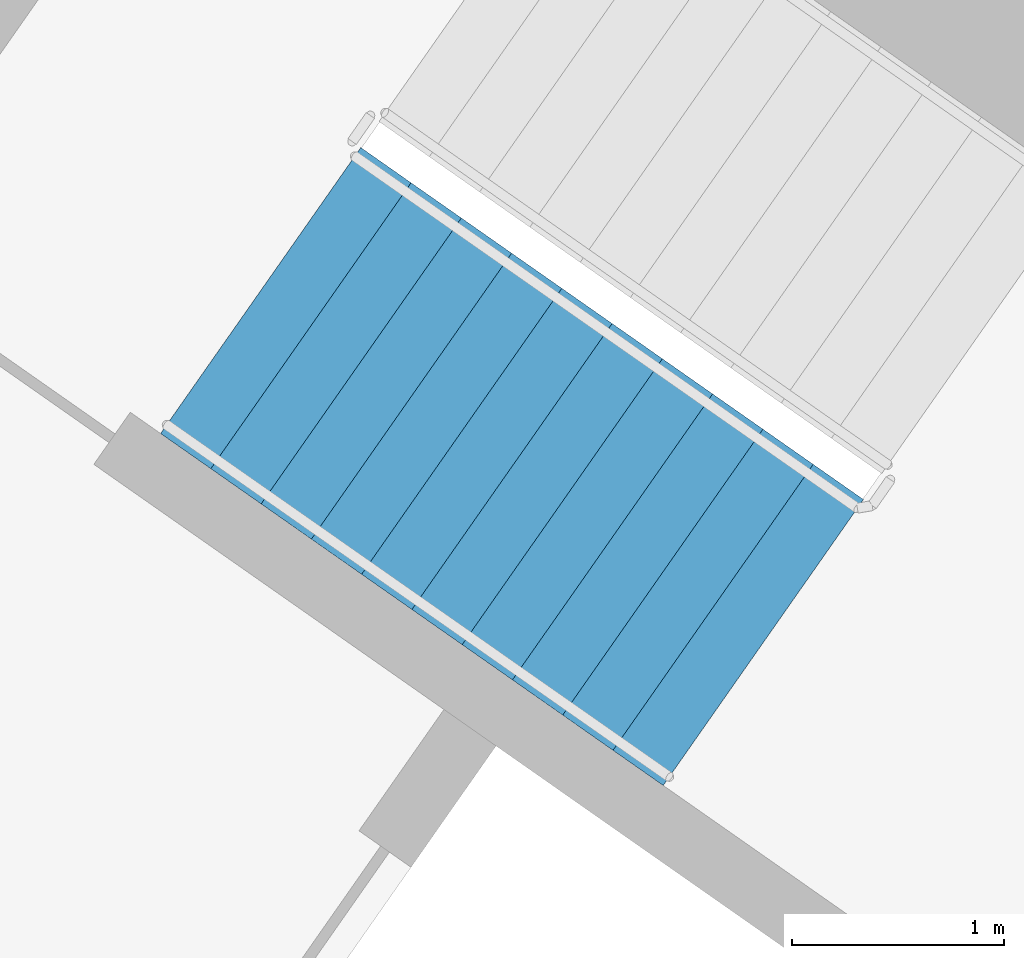
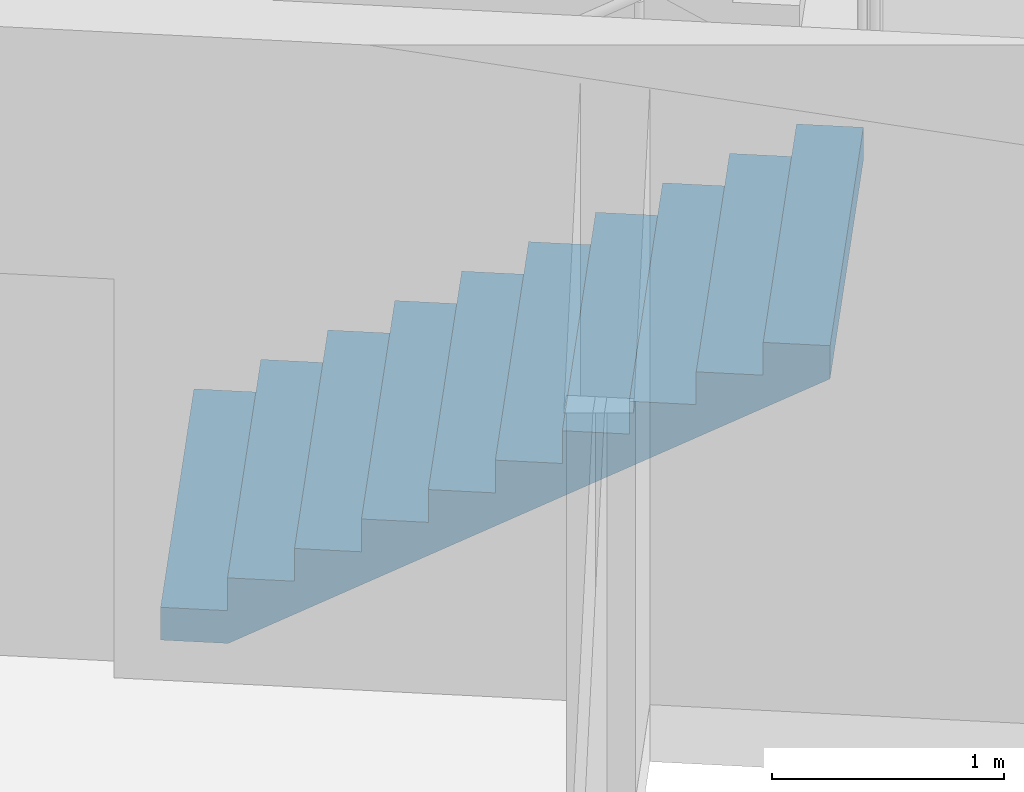
# One storey, part 11 of 28: 1 stair flight, 1 element without a shape of its own.
"""IFC4 building model written with IfcOpenShell, lengths in metres."""

from ifc_helpers import new_model, si_unit, direction, frame, origin, place, context, subcontext, project, spatial, faceted_brep, material, type_object, element, aggregate, save


model = new_model("IFC4")

# Units and contexts
model_context = context("Model", 3, precision=1e-05, world=origin(), true_north=direction((0.0, 1.0)))
body_context = subcontext(model_context, "Body", "Model", "MODEL_VIEW")
ifc_project = project(units=[si_unit("LENGTHUNIT", "METRE"), si_unit("AREAUNIT", "SQUARE_METRE"), si_unit("VOLUMEUNIT", "CUBIC_METRE"), si_unit("PLANEANGLEUNIT", "RADIAN"), si_unit("MASSUNIT", "GRAM", prefix="KILO")], contexts=[model_context])

# Site, building, storey
site_placement = place(None, origin())
site = spatial("IfcSite", under=ifc_project, at=site_placement, CompositionType="ELEMENT")
building_placement = place(site_placement, origin())
building = spatial("IfcBuilding", under=site, at=building_placement, Name="Qamariyya Broadcast Tower", CompositionType="ELEMENT")
storey_placement = place(building_placement, frame((0.0, 0.0, 140.5)))
storey = spatial("IfcBuildingStorey", under=building, at=storey_placement, Name="L32", CompositionType="ELEMENT", Elevation=140.5)

# Stair, stair flight
ifc_material = material(Name="Concrete C50/60", Category="concrete")
stair_type = type_object("IfcStairType", Name="Exit stair 22 risers of 173 mm", PredefinedType="HALF_TURN_STAIR", material=ifc_material)
stair_placement = place(storey_placement, origin())
stair = element("IfcStair", 1, at=stair_placement, inside=storey, type_object=stair_type, Name="L32 Stair W2", PredefinedType="HALF_TURN_STAIR")
stair_flight_type = type_object("IfcStairFlightType", Name="Exit stair flight 11 risers of 173 mm", PredefinedType="STRAIGHT", material=ifc_material)
stair_flight_placement = place(storey_placement, frame((-41.59130859375, -49.15966796875, 0.0), z_axis=(0.0, 0.0, 1.0), x_axis=(0.819152044289, -0.573576436351, 0.0)))
stair_flight = element("IfcStairFlight", 2, at=stair_flight_placement, type_object=stair_flight_type, Name="ST-W2 flight 1", NumberOfRisers=11, NumberOfTreads=10, PredefinedType="STRAIGHT", RiserHeight=0.172727273, TreadLength=0.29, context=body_context, shape_type="Brep", body=[
    faceted_brep([(0.0, 0.824951171875, 0.0), (0.0, 0.824951171875, 0.172607421875), (0.2900390625, 0.824951171875, 0.172607421875), (0.2900390625, 0.824951171875, 0.345458984375), (0.580078125, 0.824951171875, 0.345458984375), (0.580078125, 0.824951171875, 0.51806640625), (0.8701171875, 0.824951171875, 0.51806640625), (0.8701171875, 0.824951171875, 0.69091796875), (1.159912109375, 0.824951171875, 0.69091796875), (1.159912109375, 0.824951171875, 0.863525390625), (1.449951171875, 0.824951171875, 0.863525390625), (1.449951171875, 0.824951171875, 1.036376953125), (1.739990234375, 0.824951171875, 1.036376953125), (1.739990234375, 0.824951171875, 1.208984375), (2.030029296875, 0.824951171875, 1.208984375), (2.030029296875, 0.824951171875, 1.3818359375), (2.320068359375, 0.824951171875, 1.3818359375), (2.320068359375, 0.824951171875, 1.554443359375), (2.610107421875, 0.824951171875, 1.554443359375), (2.610107421875, 0.824951171875, 1.727294921875), (2.89990234375, 0.824951171875, 1.727294921875), (2.89990234375, 0.824951171875, 1.552734375), (0.29296875, 0.824951171875, 0.0), (0.29296875, -0.824951171875, 0.0), (2.89990234375, -0.824951171875, 1.552734375), (2.89990234375, -0.824951171875, 1.727294921875), (2.610107421875, -0.824951171875, 1.727294921875), (2.610107421875, -0.824951171875, 1.554443359375), (2.320068359375, -0.824951171875, 1.554443359375), (2.320068359375, -0.824951171875, 1.3818359375), (2.030029296875, -0.824951171875, 1.3818359375), (2.030029296875, -0.824951171875, 1.208984375), (1.739990234375, -0.824951171875, 1.208984375), (1.739990234375, -0.824951171875, 1.036376953125), (1.449951171875, -0.824951171875, 1.036376953125), (1.449951171875, -0.824951171875, 0.863525390625), (1.159912109375, -0.824951171875, 0.863525390625), (1.159912109375, -0.824951171875, 0.69091796875), (0.8701171875, -0.824951171875, 0.69091796875), (0.8701171875, -0.824951171875, 0.51806640625), (0.580078125, -0.824951171875, 0.51806640625), (0.580078125, -0.824951171875, 0.345458984375), (0.2900390625, -0.824951171875, 0.345458984375), (0.2900390625, -0.824951171875, 0.172607421875), (0.0, -0.824951171875, 0.172607421875), (0.0, -0.824951171875, 0.0), (0.0, 0.10009765625, 0.0), (0.0, 0.086669921875, 0.0), (0.0, 0.0732421875, 0.0), (0.0, 0.06005859375, 0.0), (0.0, 0.046630859375, 0.0), (0.0, 0.033447265625, 0.0), (0.0, 0.02001953125, 0.0), (0.0, 0.006591796875, 0.0), (0.0, -0.006591796875, 0.0), (0.0, -0.02001953125, 0.0), (0.0, -0.033447265625, 0.0), (0.0, -0.046630859375, 0.0), (0.0, -0.06005859375, 0.0), (0.0, -0.0732421875, 0.0), (0.0, -0.086669921875, 0.0), (0.0, -0.10009765625, 0.0), (0.0, -0.10009765625, 0.172607421875), (0.0, -0.086669921875, 0.172607421875), (0.0, -0.0732421875, 0.172607421875), (0.0, -0.06005859375, 0.172607421875), (0.0, -0.046630859375, 0.172607421875), (0.0, -0.033447265625, 0.172607421875), (0.0, -0.02001953125, 0.172607421875), (0.0, -0.006591796875, 0.172607421875), (0.0, 0.006591796875, 0.172607421875), (0.0, 0.02001953125, 0.172607421875), (0.0, 0.033447265625, 0.172607421875), (0.0, 0.046630859375, 0.172607421875), (0.0, 0.06005859375, 0.172607421875), (0.0, 0.0732421875, 0.172607421875), (0.0, 0.086669921875, 0.172607421875), (0.0, 0.10009765625, 0.172607421875), (0.2900390625, -0.10009765625, 0.172607421875), (0.2900390625, -0.086669921875, 0.172607421875), (0.2900390625, -0.0732421875, 0.172607421875), (0.2900390625, -0.06005859375, 0.172607421875), (0.2900390625, -0.046630859375, 0.172607421875), (0.2900390625, -0.033447265625, 0.172607421875), (0.2900390625, -0.02001953125, 0.172607421875), (0.2900390625, -0.006591796875, 0.172607421875), (0.2900390625, 0.006591796875, 0.172607421875), (0.2900390625, 0.02001953125, 0.172607421875), (0.2900390625, 0.033447265625, 0.172607421875), (0.2900390625, 0.046630859375, 0.172607421875), (0.2900390625, 0.06005859375, 0.172607421875), (0.2900390625, 0.0732421875, 0.172607421875), (0.2900390625, 0.086669921875, 0.172607421875), (0.2900390625, 0.10009765625, 0.172607421875), (0.2900390625, -0.10009765625, 0.345458984375), (0.2900390625, -0.086669921875, 0.345458984375), (0.2900390625, -0.0732421875, 0.345458984375), (0.2900390625, -0.06005859375, 0.345458984375), (0.2900390625, -0.046630859375, 0.345458984375), (0.2900390625, -0.033447265625, 0.345458984375), (0.2900390625, -0.02001953125, 0.345458984375), (0.2900390625, -0.006591796875, 0.345458984375), (0.2900390625, 0.006591796875, 0.345458984375), (0.2900390625, 0.02001953125, 0.345458984375), (0.2900390625, 0.033447265625, 0.345458984375), (0.2900390625, 0.046630859375, 0.345458984375), (0.2900390625, 0.06005859375, 0.345458984375), (0.2900390625, 0.0732421875, 0.345458984375), (0.2900390625, 0.086669921875, 0.345458984375), (0.2900390625, 0.10009765625, 0.345458984375), (0.580078125, -0.10009765625, 0.345458984375), (0.580078125, -0.086669921875, 0.345458984375), (0.580078125, -0.0732421875, 0.345458984375), (0.580078125, -0.06005859375, 0.345458984375), (0.580078125, -0.046630859375, 0.345458984375), (0.580078125, -0.033447265625, 0.345458984375), (0.580078125, -0.02001953125, 0.345458984375), (0.580078125, -0.006591796875, 0.345458984375), (0.580078125, 0.006591796875, 0.345458984375), (0.580078125, 0.02001953125, 0.345458984375), (0.580078125, 0.033447265625, 0.345458984375), (0.580078125, 0.046630859375, 0.345458984375), (0.580078125, 0.06005859375, 0.345458984375), (0.580078125, 0.0732421875, 0.345458984375), (0.580078125, 0.086669921875, 0.345458984375), (0.580078125, 0.10009765625, 0.345458984375), (0.580078125, -0.10009765625, 0.51806640625), (0.580078125, -0.086669921875, 0.51806640625), (0.580078125, -0.0732421875, 0.51806640625), (0.580078125, -0.06005859375, 0.51806640625), (0.580078125, -0.046630859375, 0.51806640625), (0.580078125, -0.033447265625, 0.51806640625), (0.580078125, -0.02001953125, 0.51806640625), (0.580078125, -0.006591796875, 0.51806640625), (0.580078125, 0.006591796875, 0.51806640625), (0.580078125, 0.02001953125, 0.51806640625), (0.580078125, 0.033447265625, 0.51806640625), (0.580078125, 0.046630859375, 0.51806640625), (0.580078125, 0.06005859375, 0.51806640625), (0.580078125, 0.0732421875, 0.51806640625), (0.580078125, 0.086669921875, 0.51806640625), (0.580078125, 0.10009765625, 0.51806640625), (0.8701171875, -0.10009765625, 0.51806640625), (0.8701171875, -0.086669921875, 0.51806640625), (0.8701171875, -0.0732421875, 0.51806640625), (0.8701171875, -0.06005859375, 0.51806640625), (0.8701171875, -0.046630859375, 0.51806640625), (0.8701171875, -0.033447265625, 0.51806640625), (0.8701171875, -0.02001953125, 0.51806640625), (0.8701171875, -0.006591796875, 0.51806640625), (0.8701171875, 0.006591796875, 0.51806640625), (0.8701171875, 0.02001953125, 0.51806640625), (0.8701171875, 0.033447265625, 0.51806640625), (0.8701171875, 0.046630859375, 0.51806640625), (0.8701171875, 0.06005859375, 0.51806640625), (0.8701171875, 0.0732421875, 0.51806640625), (0.8701171875, 0.086669921875, 0.51806640625), (0.8701171875, 0.10009765625, 0.51806640625), (0.8701171875, -0.10009765625, 0.69091796875), (0.8701171875, -0.086669921875, 0.69091796875), (0.8701171875, -0.0732421875, 0.69091796875), (0.8701171875, -0.06005859375, 0.69091796875), (0.8701171875, -0.046630859375, 0.69091796875), (0.8701171875, -0.033447265625, 0.69091796875), (0.8701171875, -0.02001953125, 0.69091796875), (0.8701171875, -0.006591796875, 0.69091796875), (0.8701171875, 0.006591796875, 0.69091796875), (0.8701171875, 0.02001953125, 0.69091796875), (0.8701171875, 0.033447265625, 0.69091796875), (0.8701171875, 0.046630859375, 0.69091796875), (0.8701171875, 0.06005859375, 0.69091796875), (0.8701171875, 0.0732421875, 0.69091796875), (0.8701171875, 0.086669921875, 0.69091796875), (0.8701171875, 0.10009765625, 0.69091796875), (1.159912109375, -0.10009765625, 0.69091796875), (1.159912109375, -0.086669921875, 0.69091796875), (1.159912109375, -0.0732421875, 0.69091796875), (1.159912109375, -0.06005859375, 0.69091796875), (1.159912109375, -0.046630859375, 0.69091796875), (1.159912109375, -0.033447265625, 0.69091796875), (1.159912109375, -0.02001953125, 0.69091796875), (1.159912109375, -0.006591796875, 0.69091796875), (1.159912109375, 0.006591796875, 0.69091796875), (1.159912109375, 0.02001953125, 0.69091796875), (1.159912109375, 0.033447265625, 0.69091796875), (1.159912109375, 0.046630859375, 0.69091796875), (1.159912109375, 0.06005859375, 0.69091796875), (1.159912109375, 0.0732421875, 0.69091796875), (1.159912109375, 0.086669921875, 0.69091796875), (1.159912109375, 0.10009765625, 0.69091796875), (1.159912109375, -0.10009765625, 0.863525390625), (1.159912109375, -0.086669921875, 0.863525390625), (1.159912109375, -0.0732421875, 0.863525390625), (1.159912109375, -0.06005859375, 0.863525390625), (1.159912109375, -0.046630859375, 0.863525390625), (1.159912109375, -0.033447265625, 0.863525390625), (1.159912109375, -0.02001953125, 0.863525390625), (1.159912109375, -0.006591796875, 0.863525390625), (1.159912109375, 0.006591796875, 0.863525390625), (1.159912109375, 0.02001953125, 0.863525390625), (1.159912109375, 0.033447265625, 0.863525390625), (1.159912109375, 0.046630859375, 0.863525390625), (1.159912109375, 0.06005859375, 0.863525390625), (1.159912109375, 0.0732421875, 0.863525390625), (1.159912109375, 0.086669921875, 0.863525390625), (1.159912109375, 0.10009765625, 0.863525390625), (1.449951171875, -0.10009765625, 0.863525390625), (1.449951171875, -0.086669921875, 0.863525390625), (1.449951171875, -0.0732421875, 0.863525390625), (1.449951171875, -0.06005859375, 0.863525390625), (1.449951171875, -0.046630859375, 0.863525390625), (1.449951171875, -0.033447265625, 0.863525390625), (1.449951171875, -0.02001953125, 0.863525390625), (1.449951171875, -0.006591796875, 0.863525390625), (1.449951171875, 0.006591796875, 0.863525390625), (1.449951171875, 0.02001953125, 0.863525390625), (1.449951171875, 0.033447265625, 0.863525390625), (1.449951171875, 0.046630859375, 0.863525390625), (1.449951171875, 0.06005859375, 0.863525390625), (1.449951171875, 0.0732421875, 0.863525390625), (1.449951171875, 0.086669921875, 0.863525390625), (1.449951171875, 0.10009765625, 0.863525390625), (1.449951171875, -0.10009765625, 1.036376953125), (1.449951171875, -0.086669921875, 1.036376953125), (1.449951171875, -0.0732421875, 1.036376953125), (1.449951171875, -0.06005859375, 1.036376953125), (1.449951171875, -0.046630859375, 1.036376953125), (1.449951171875, -0.033447265625, 1.036376953125), (1.449951171875, -0.02001953125, 1.036376953125), (1.449951171875, -0.006591796875, 1.036376953125), (1.449951171875, 0.006591796875, 1.036376953125), (1.449951171875, 0.02001953125, 1.036376953125), (1.449951171875, 0.033447265625, 1.036376953125), (1.449951171875, 0.046630859375, 1.036376953125), (1.449951171875, 0.06005859375, 1.036376953125), (1.449951171875, 0.0732421875, 1.036376953125), (1.449951171875, 0.086669921875, 1.036376953125), (1.449951171875, 0.10009765625, 1.036376953125), (1.739990234375, -0.10009765625, 1.036376953125), (1.739990234375, -0.086669921875, 1.036376953125), (1.739990234375, -0.0732421875, 1.036376953125), (1.739990234375, -0.06005859375, 1.036376953125), (1.739990234375, -0.046630859375, 1.036376953125), (1.739990234375, -0.033447265625, 1.036376953125), (1.739990234375, -0.02001953125, 1.036376953125), (1.739990234375, -0.006591796875, 1.036376953125), (1.739990234375, 0.006591796875, 1.036376953125), (1.739990234375, 0.02001953125, 1.036376953125), (1.739990234375, 0.033447265625, 1.036376953125), (1.739990234375, 0.046630859375, 1.036376953125), (1.739990234375, 0.06005859375, 1.036376953125), (1.739990234375, 0.0732421875, 1.036376953125), (1.739990234375, 0.086669921875, 1.036376953125), (1.739990234375, 0.10009765625, 1.036376953125), (1.739990234375, -0.10009765625, 1.208984375), (1.739990234375, -0.086669921875, 1.208984375), (1.739990234375, -0.0732421875, 1.208984375), (1.739990234375, -0.06005859375, 1.208984375), (1.739990234375, -0.046630859375, 1.208984375), (1.739990234375, -0.033447265625, 1.208984375), (1.739990234375, -0.02001953125, 1.208984375), (1.739990234375, -0.006591796875, 1.208984375), (1.739990234375, 0.006591796875, 1.208984375), (1.739990234375, 0.02001953125, 1.208984375), (1.739990234375, 0.033447265625, 1.208984375), (1.739990234375, 0.046630859375, 1.208984375), (1.739990234375, 0.06005859375, 1.208984375), (1.739990234375, 0.0732421875, 1.208984375), (1.739990234375, 0.086669921875, 1.208984375), (1.739990234375, 0.10009765625, 1.208984375), (2.030029296875, -0.10009765625, 1.208984375), (2.030029296875, -0.086669921875, 1.208984375), (2.030029296875, -0.0732421875, 1.208984375), (2.030029296875, -0.06005859375, 1.208984375), (2.030029296875, -0.046630859375, 1.208984375), (2.030029296875, -0.033447265625, 1.208984375), (2.030029296875, -0.02001953125, 1.208984375), (2.030029296875, -0.006591796875, 1.208984375), (2.030029296875, 0.006591796875, 1.208984375), (2.030029296875, 0.02001953125, 1.208984375), (2.030029296875, 0.033447265625, 1.208984375), (2.030029296875, 0.046630859375, 1.208984375), (2.030029296875, 0.06005859375, 1.208984375), (2.030029296875, 0.0732421875, 1.208984375), (2.030029296875, 0.086669921875, 1.208984375), (2.030029296875, 0.10009765625, 1.208984375), (2.030029296875, -0.10009765625, 1.3818359375), (2.030029296875, -0.086669921875, 1.3818359375), (2.030029296875, -0.0732421875, 1.3818359375), (2.030029296875, -0.06005859375, 1.3818359375), (2.030029296875, -0.046630859375, 1.3818359375), (2.030029296875, -0.033447265625, 1.3818359375), (2.030029296875, -0.02001953125, 1.3818359375), (2.030029296875, -0.006591796875, 1.3818359375), (2.030029296875, 0.006591796875, 1.3818359375), (2.030029296875, 0.02001953125, 1.3818359375), (2.030029296875, 0.033447265625, 1.3818359375), (2.030029296875, 0.046630859375, 1.3818359375), (2.030029296875, 0.06005859375, 1.3818359375), (2.030029296875, 0.0732421875, 1.3818359375), (2.030029296875, 0.086669921875, 1.3818359375), (2.030029296875, 0.10009765625, 1.3818359375), (2.320068359375, -0.10009765625, 1.3818359375), (2.320068359375, -0.086669921875, 1.3818359375), (2.320068359375, -0.0732421875, 1.3818359375), (2.320068359375, -0.06005859375, 1.3818359375), (2.320068359375, -0.046630859375, 1.3818359375), (2.320068359375, -0.033447265625, 1.3818359375), (2.320068359375, -0.02001953125, 1.3818359375), (2.320068359375, -0.006591796875, 1.3818359375), (2.320068359375, 0.006591796875, 1.3818359375), (2.320068359375, 0.02001953125, 1.3818359375), (2.320068359375, 0.033447265625, 1.3818359375), (2.320068359375, 0.046630859375, 1.3818359375), (2.320068359375, 0.06005859375, 1.3818359375), (2.320068359375, 0.0732421875, 1.3818359375), (2.320068359375, 0.086669921875, 1.3818359375), (2.320068359375, 0.10009765625, 1.3818359375), (2.320068359375, -0.10009765625, 1.554443359375), (2.320068359375, -0.086669921875, 1.554443359375), (2.320068359375, -0.0732421875, 1.554443359375), (2.320068359375, -0.06005859375, 1.554443359375), (2.320068359375, -0.046630859375, 1.554443359375), (2.320068359375, -0.033447265625, 1.554443359375), (2.320068359375, -0.02001953125, 1.554443359375), (2.320068359375, -0.006591796875, 1.554443359375), (2.320068359375, 0.006591796875, 1.554443359375), (2.320068359375, 0.02001953125, 1.554443359375), (2.320068359375, 0.033447265625, 1.554443359375), (2.320068359375, 0.046630859375, 1.554443359375), (2.320068359375, 0.06005859375, 1.554443359375), (2.320068359375, 0.0732421875, 1.554443359375), (2.320068359375, 0.086669921875, 1.554443359375), (2.320068359375, 0.10009765625, 1.554443359375), (2.610107421875, -0.10009765625, 1.554443359375), (2.610107421875, -0.086669921875, 1.554443359375), (2.610107421875, -0.0732421875, 1.554443359375), (2.610107421875, -0.06005859375, 1.554443359375), (2.610107421875, -0.046630859375, 1.554443359375), (2.610107421875, -0.033447265625, 1.554443359375), (2.610107421875, -0.02001953125, 1.554443359375), (2.610107421875, -0.006591796875, 1.554443359375), (2.610107421875, 0.006591796875, 1.554443359375), (2.610107421875, 0.02001953125, 1.554443359375), (2.610107421875, 0.033447265625, 1.554443359375), (2.610107421875, 0.046630859375, 1.554443359375), (2.610107421875, 0.06005859375, 1.554443359375), (2.610107421875, 0.0732421875, 1.554443359375), (2.610107421875, 0.086669921875, 1.554443359375), (2.610107421875, 0.10009765625, 1.554443359375), (2.610107421875, -0.10009765625, 1.727294921875), (2.610107421875, -0.086669921875, 1.727294921875), (2.610107421875, -0.0732421875, 1.727294921875), (2.610107421875, -0.06005859375, 1.727294921875), (2.610107421875, -0.046630859375, 1.727294921875), (2.610107421875, -0.033447265625, 1.727294921875), (2.610107421875, -0.02001953125, 1.727294921875), (2.610107421875, -0.006591796875, 1.727294921875), (2.610107421875, 0.006591796875, 1.727294921875), (2.610107421875, 0.02001953125, 1.727294921875), (2.610107421875, 0.033447265625, 1.727294921875), (2.610107421875, 0.046630859375, 1.727294921875), (2.610107421875, 0.06005859375, 1.727294921875), (2.610107421875, 0.0732421875, 1.727294921875), (2.610107421875, 0.086669921875, 1.727294921875), (2.610107421875, 0.10009765625, 1.727294921875), (2.89990234375, -0.10009765625, 1.727294921875), (2.89990234375, -0.086669921875, 1.727294921875), (2.89990234375, -0.0732421875, 1.727294921875), (2.89990234375, -0.06005859375, 1.727294921875), (2.89990234375, -0.046630859375, 1.727294921875), (2.89990234375, -0.033447265625, 1.727294921875), (2.89990234375, -0.02001953125, 1.727294921875), (2.89990234375, -0.006591796875, 1.727294921875), (2.89990234375, 0.006591796875, 1.727294921875), (2.89990234375, 0.02001953125, 1.727294921875), (2.89990234375, 0.033447265625, 1.727294921875), (2.89990234375, 0.046630859375, 1.727294921875), (2.89990234375, 0.06005859375, 1.727294921875), (2.89990234375, 0.0732421875, 1.727294921875), (2.89990234375, 0.086669921875, 1.727294921875), (2.89990234375, 0.10009765625, 1.727294921875), (2.89990234375, -0.10009765625, 1.552734375), (2.89990234375, -0.086669921875, 1.552734375), (2.89990234375, -0.0732421875, 1.552734375), (2.89990234375, -0.06005859375, 1.552734375), (2.89990234375, -0.046630859375, 1.552734375), (2.89990234375, -0.033447265625, 1.552734375), (2.89990234375, -0.02001953125, 1.552734375), (2.89990234375, -0.006591796875, 1.552734375), (2.89990234375, 0.006591796875, 1.552734375), (2.89990234375, 0.02001953125, 1.552734375), (2.89990234375, 0.033447265625, 1.552734375), (2.89990234375, 0.046630859375, 1.552734375), (2.89990234375, 0.06005859375, 1.552734375), (2.89990234375, 0.0732421875, 1.552734375), (2.89990234375, 0.086669921875, 1.552734375), (2.89990234375, 0.10009765625, 1.552734375), (0.29296875, -0.10009765625, 0.0), (0.29296875, -0.086669921875, 0.0), (0.29296875, -0.0732421875, 0.0), (0.29296875, -0.06005859375, 0.0), (0.29296875, -0.046630859375, 0.0), (0.29296875, -0.033447265625, 0.0), (0.29296875, -0.02001953125, 0.0), (0.29296875, -0.006591796875, 0.0), (0.29296875, 0.006591796875, 0.0), (0.29296875, 0.02001953125, 0.0), (0.29296875, 0.033447265625, 0.0), (0.29296875, 0.046630859375, 0.0), (0.29296875, 0.06005859375, 0.0), (0.29296875, 0.0732421875, 0.0), (0.29296875, 0.086669921875, 0.0), (0.29296875, 0.10009765625, 0.0)], [[[0, 1, 2, 3, 4, 5, 6, 7, 8, 9, 10, 11, 12, 13, 14, 15, 16, 17, 18, 19, 20, 21, 22]], [[23, 24, 25, 26, 27, 28, 29, 30, 31, 32, 33, 34, 35, 36, 37, 38, 39, 40, 41, 42, 43, 44, 45]], [[0, 46, 47, 48, 49, 50, 51, 52, 53, 54, 55, 56, 57, 58, 59, 60, 61, 45, 44, 62, 63, 64, 65, 66, 67, 68, 69, 70, 71, 72, 73, 74, 75, 76, 77, 1]], [[1, 77, 76, 75, 74, 73, 72, 71, 70, 69, 68, 67, 66, 65, 64, 63, 62, 44, 43, 78, 79, 80, 81, 82, 83, 84, 85, 86, 87, 88, 89, 90, 91, 92, 93, 2]], [[2, 93, 92, 91, 90, 89, 88, 87, 86, 85, 84, 83, 82, 81, 80, 79, 78, 43, 42, 94, 95, 96, 97, 98, 99, 100, 101, 102, 103, 104, 105, 106, 107, 108, 109, 3]], [[3, 109, 108, 107, 106, 105, 104, 103, 102, 101, 100, 99, 98, 97, 96, 95, 94, 42, 41, 110, 111, 112, 113, 114, 115, 116, 117, 118, 119, 120, 121, 122, 123, 124, 125, 4]], [[4, 125, 124, 123, 122, 121, 120, 119, 118, 117, 116, 115, 114, 113, 112, 111, 110, 41, 40, 126, 127, 128, 129, 130, 131, 132, 133, 134, 135, 136, 137, 138, 139, 140, 141, 5]], [[5, 141, 140, 139, 138, 137, 136, 135, 134, 133, 132, 131, 130, 129, 128, 127, 126, 40, 39, 142, 143, 144, 145, 146, 147, 148, 149, 150, 151, 152, 153, 154, 155, 156, 157, 6]], [[6, 157, 156, 155, 154, 153, 152, 151, 150, 149, 148, 147, 146, 145, 144, 143, 142, 39, 38, 158, 159, 160, 161, 162, 163, 164, 165, 166, 167, 168, 169, 170, 171, 172, 173, 7]], [[7, 173, 172, 171, 170, 169, 168, 167, 166, 165, 164, 163, 162, 161, 160, 159, 158, 38, 37, 174, 175, 176, 177, 178, 179, 180, 181, 182, 183, 184, 185, 186, 187, 188, 189, 8]], [[8, 189, 188, 187, 186, 185, 184, 183, 182, 181, 180, 179, 178, 177, 176, 175, 174, 37, 36, 190, 191, 192, 193, 194, 195, 196, 197, 198, 199, 200, 201, 202, 203, 204, 205, 9]], [[9, 205, 204, 203, 202, 201, 200, 199, 198, 197, 196, 195, 194, 193, 192, 191, 190, 36, 35, 206, 207, 208, 209, 210, 211, 212, 213, 214, 215, 216, 217, 218, 219, 220, 221, 10]], [[10, 221, 220, 219, 218, 217, 216, 215, 214, 213, 212, 211, 210, 209, 208, 207, 206, 35, 34, 222, 223, 224, 225, 226, 227, 228, 229, 230, 231, 232, 233, 234, 235, 236, 237, 11]], [[11, 237, 236, 235, 234, 233, 232, 231, 230, 229, 228, 227, 226, 225, 224, 223, 222, 34, 33, 238, 239, 240, 241, 242, 243, 244, 245, 246, 247, 248, 249, 250, 251, 252, 253, 12]], [[12, 253, 252, 251, 250, 249, 248, 247, 246, 245, 244, 243, 242, 241, 240, 239, 238, 33, 32, 254, 255, 256, 257, 258, 259, 260, 261, 262, 263, 264, 265, 266, 267, 268, 269, 13]], [[13, 269, 268, 267, 266, 265, 264, 263, 262, 261, 260, 259, 258, 257, 256, 255, 254, 32, 31, 270, 271, 272, 273, 274, 275, 276, 277, 278, 279, 280, 281, 282, 283, 284, 285, 14]], [[14, 285, 284, 283, 282, 281, 280, 279, 278, 277, 276, 275, 274, 273, 272, 271, 270, 31, 30, 286, 287, 288, 289, 290, 291, 292, 293, 294, 295, 296, 297, 298, 299, 300, 301, 15]], [[15, 301, 300, 299, 298, 297, 296, 295, 294, 293, 292, 291, 290, 289, 288, 287, 286, 30, 29, 302, 303, 304, 305, 306, 307, 308, 309, 310, 311, 312, 313, 314, 315, 316, 317, 16]], [[16, 317, 316, 315, 314, 313, 312, 311, 310, 309, 308, 307, 306, 305, 304, 303, 302, 29, 28, 318, 319, 320, 321, 322, 323, 324, 325, 326, 327, 328, 329, 330, 331, 332, 333, 17]], [[17, 333, 332, 331, 330, 329, 328, 327, 326, 325, 324, 323, 322, 321, 320, 319, 318, 28, 27, 334, 335, 336, 337, 338, 339, 340, 341, 342, 343, 344, 345, 346, 347, 348, 349, 18]], [[18, 349, 348, 347, 346, 345, 344, 343, 342, 341, 340, 339, 338, 337, 336, 335, 334, 27, 26, 350, 351, 352, 353, 354, 355, 356, 357, 358, 359, 360, 361, 362, 363, 364, 365, 19]], [[19, 365, 364, 363, 362, 361, 360, 359, 358, 357, 356, 355, 354, 353, 352, 351, 350, 26, 25, 366, 367, 368, 369, 370, 371, 372, 373, 374, 375, 376, 377, 378, 379, 380, 381, 20]], [[20, 381, 380, 379, 378, 377, 376, 375, 374, 373, 372, 371, 370, 369, 368, 367, 366, 25, 24, 382, 383, 384, 385, 386, 387, 388, 389, 390, 391, 392, 393, 394, 395, 396, 397, 21]], [[21, 397, 396, 395, 394, 393, 392, 391, 390, 389, 388, 387, 386, 385, 384, 383, 382, 24, 23, 398, 399, 400, 401, 402, 403, 404, 405, 406, 407, 408, 409, 410, 411, 412, 413, 22]], [[22, 413, 412, 411, 410, 409, 408, 407, 406, 405, 404, 403, 402, 401, 400, 399, 398, 23, 45, 61, 60, 59, 58, 57, 56, 55, 54, 53, 52, 51, 50, 49, 48, 47, 46, 0]]]),
])
aggregate(stair, [stair_flight])

save(model, "model.ifc")
